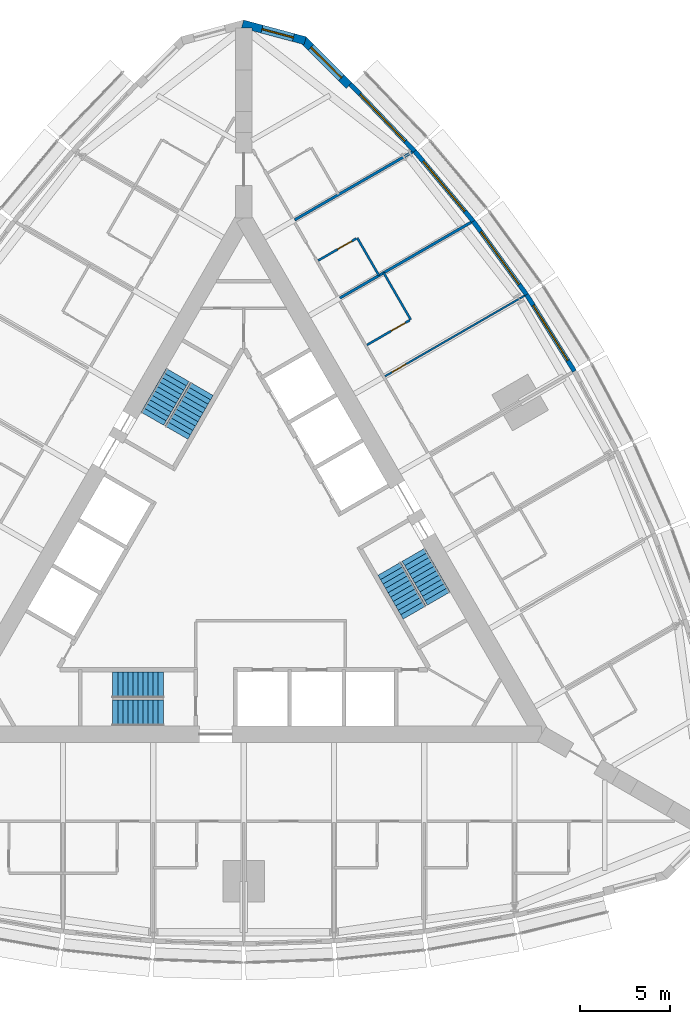
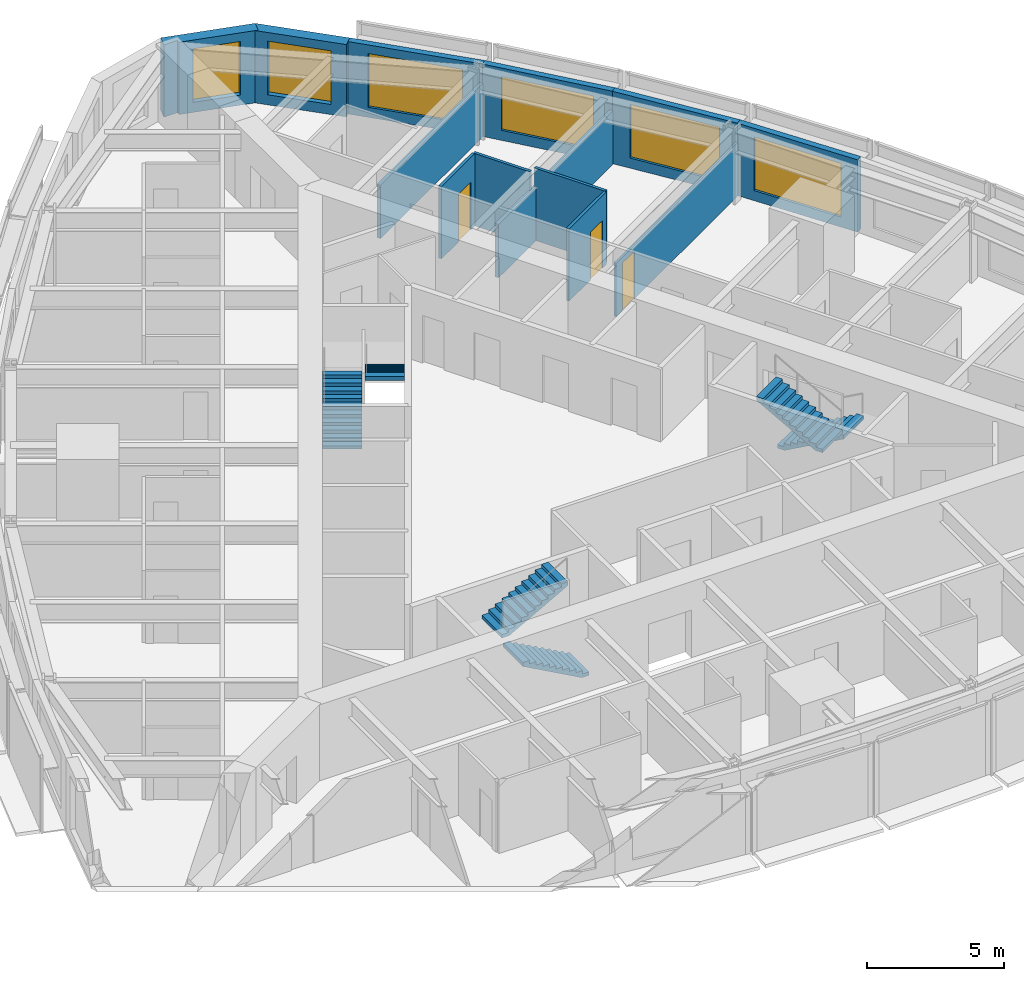
# One storey, part 13 of 14: 13 walls, 6 stair flights, 6 windows, 3 doors, 9 openings, 3 elements without a shape of their own.
"""IFC4 building model written with IfcOpenShell, lengths in metres."""

import ifcopenshell
import ifcopenshell.guid

model = None  # the IFC model being written
_history = None  # IfcOwnerHistory: only IFC2X3 demands one
_inside = {}  # id of a spatial element -> (the spatial element, [elements in it])
_under = {}  # id of a project, library or spatial element -> (it, [spatial elements below it])
_declared = {}  # id of a project -> (the project, [libraries it declares])
_typed = {}  # id of a type object -> (the type object, [elements of that type])
_made_of = {}  # id of a material, layer set ... -> (it, [elements and type objects made of it])


def new_model(schema):
    """Start an empty IFC model of exactly this schema.

    Asked for "IFC4X3", IfcOpenShell would pick the latest addendum, in which some entities
    have other attributes; the version numbers below select the first issue.
    IFC2X3 requires an IfcOwnerHistory on every rooted entity: one is made here for all.
    """
    global model, _history
    if schema == "IFC4X3":
        model = ifcopenshell.file(schema_version=(4, 3, 0, 0))
    else:
        model = ifcopenshell.file(schema=schema)
    _inside.clear()
    _under.clear()
    _declared.clear()
    _typed.clear()
    _made_of.clear()
    _history = None
    if model.schema == "IFC2X3":
        org = make("IfcOrganization", Name="unknown")
        user = make(
            "IfcPersonAndOrganization",
            ThePerson=make("IfcPerson", FamilyName="unknown"),
            TheOrganization=org,
        )
        app = make(
            "IfcApplication",
            ApplicationDeveloper=org,
            Version="unknown",
            ApplicationFullName="unknown",
            ApplicationIdentifier="unknown",
        )
        _history = make(
            "IfcOwnerHistory",
            OwningUser=user,
            OwningApplication=app,
            ChangeAction="ADDED",
            CreationDate=0,
        )
    return model


def make(cls, **values):
    """One entity of the class cls with the attributes given. An attribute that is None is left unset."""
    return model.create_entity(
        cls, **{name: value for name, value in values.items() if value is not None}
    )


def rooted(cls, **values):
    """An entity with a GlobalId (a new one), such as an element, a storey or a relation."""
    return make(cls, GlobalId=ifcopenshell.guid.new(), OwnerHistory=_history, **values)


def si_unit(unit_type, name, prefix=None):
    """IfcSIUnit, for example si_unit("LENGTHUNIT", "METRE", prefix="MILLI")."""
    return make("IfcSIUnit", UnitType=unit_type, Prefix=prefix, Name=name)


def assignment(units):
    """IfcUnitAssignment: the units of a project."""
    return None if units is None else make("IfcUnitAssignment", Units=units)


def point(xyz):
    """IfcCartesianPoint."""
    return None if xyz is None else make("IfcCartesianPoint", Coordinates=xyz)


def direction(xyz):
    """IfcDirection."""
    return None if xyz is None else make("IfcDirection", DirectionRatios=xyz)


def frame(location, z_axis=None, x_axis=None):
    """IfcAxis2Placement3D, a coordinate frame: its origin and axes. An axis left out is left unset."""
    return make(
        "IfcAxis2Placement3D",
        Location=point(location),
        Axis=direction(z_axis),
        RefDirection=direction(x_axis),
    )


def frame_2d(location, x_axis=None):
    """IfcAxis2Placement2D, a coordinate frame in the plane: its origin and x axis."""
    return make(
        "IfcAxis2Placement2D", Location=point(location), RefDirection=direction(x_axis)
    )


def origin():
    """The frame at (0, 0, 0) with its axes left unset."""
    return frame((0.0, 0.0, 0.0))


def place(relative_to, where):
    """IfcLocalPlacement: puts the frame where relative to a parent placement (None: the world)."""
    return make(
        "IfcLocalPlacement", PlacementRelTo=relative_to, RelativePlacement=where
    )


def context(
    kind, dimensions, precision=None, world=None, true_north=None, identifier=None
):
    """IfcGeometricRepresentationContext, for example the 3D "Model" context."""
    return make(
        "IfcGeometricRepresentationContext",
        ContextIdentifier=identifier,
        ContextType=kind,
        CoordinateSpaceDimension=dimensions,
        Precision=precision,
        WorldCoordinateSystem=world,
        TrueNorth=true_north,
    )


def subcontext(parent, identifier, kind, view, scale=None):
    """IfcGeometricRepresentationSubContext, for example "Body" below "Model"."""
    return make(
        "IfcGeometricRepresentationSubContext",
        ContextIdentifier=identifier,
        ContextType=kind,
        ParentContext=parent,
        TargetScale=scale,
        TargetView=view,
    )


def project(units=None, contexts=None):
    """IfcProject with its units and contexts."""
    return rooted(
        "IfcProject",
        Name="project",
        RepresentationContexts=contexts,
        UnitsInContext=assignment(units),
    )


def spatial(cls, under=None, at=None, **own):
    """A site, building, storey or space (cls), placed at a placement, below another one or the project."""
    s = rooted(cls, ObjectPlacement=at, **own)
    if under is not None:
        _under.setdefault(under.id(), (under, []))[1].append(s)
    return s


def polyline(points):
    """IfcPolyline through the points."""
    return make("IfcPolyline", Points=[point(p) for p in points])


def profile(cls, at=None, kind="AREA", **sizes):
    """A parametric profile (cls). Its sizes go by their IFC names, for example OverallWidth=200.0."""
    return make(cls, ProfileType=kind, Position=at, **sizes)


def rectangle(**sizes):
    """IfcRectangleProfileDef."""
    return profile("IfcRectangleProfileDef", **sizes)


def outline(outer, holes=None, kind="AREA"):
    """IfcArbitraryClosedProfileDef: a profile drawn as a closed curve; with holes, ...WithVoids."""
    if holes is None:
        return make("IfcArbitraryClosedProfileDef", ProfileType=kind, OuterCurve=outer)
    return make(
        "IfcArbitraryProfileDefWithVoids",
        ProfileType=kind,
        OuterCurve=outer,
        InnerCurves=holes,
    )


def extrude(swept, where, along, depth):
    """IfcExtrudedAreaSolid: the profile swept, set in the frame where, extruded along a direction by depth."""
    return make(
        "IfcExtrudedAreaSolid",
        SweptArea=swept,
        Position=where,
        ExtrudedDirection=direction(along),
        Depth=depth,
    )


def shape(context_of_items, identifier, shape_type, items):
    """IfcShapeRepresentation: the items that make up one representation, for example the "Body"."""
    return make(
        "IfcShapeRepresentation",
        ContextOfItems=context_of_items,
        RepresentationIdentifier=identifier,
        RepresentationType=shape_type,
        Items=items,
    )


def material(Name=None, Category=None):
    """IfcMaterial."""
    return make("IfcMaterial", Name=Name, Category=Category)


def layer(
    of_material, thickness, ventilated=None, Name=None, Category=None, Priority=None
):
    """IfcMaterialLayer: one layer of a wall or slab, of a material (None: an air gap)."""
    return make(
        "IfcMaterialLayer",
        Material=of_material,
        LayerThickness=thickness,
        IsVentilated=ventilated,
        Name=Name,
        Category=Category,
        Priority=Priority,
    )


def layer_set(layers, Name=None):
    """IfcMaterialLayerSet."""
    return make("IfcMaterialLayerSet", MaterialLayers=layers, LayerSetName=Name)


def made_of(thing, what):
    """Note that an element or type object is made of a material, layer set ...; save() writes the relation."""
    if what is not None:
        _made_of.setdefault(what.id(), (what, []))[1].append(thing)
    return thing


def type_object(cls, material=None, **own):
    """A type object (cls), such as IfcWallType, which elements share."""
    return made_of(rooted(cls, **own), material)


def element(
    cls,
    number,
    at=None,
    inside=None,
    cuts=None,
    type_object=None,
    material=None,
    context=None,
    identifier="Body",
    shape_type=None,
    held_by="IfcProductDefinitionShape",
    body=None,
    shapes=None,
    **own,
):
    """One element of the class cls, such as IfcWall. Its Tag is "e" and its number.

    at: its placement. inside: the storey or other place that contains it. cuts: it is an
    opening in that element (IfcRelVoidsElement). A single representation is given by context,
    identifier, shape_type and body (its items); several are given by shapes. held_by: the class
    of the entity that holds the representations. save() writes the other relations.
    """
    e = rooted(cls, Tag="e%d" % number, ObjectPlacement=at, **own)
    if body is not None:
        shapes = [shape(context, identifier, shape_type, body)]
    if shapes is not None:
        e.Representation = make(held_by, Representations=shapes)
    if inside is not None:
        _inside.setdefault(inside.id(), (inside, []))[1].append(e)
    if cuts is not None:
        rooted(
            "IfcRelVoidsElement", RelatingBuildingElement=cuts, RelatedOpeningElement=e
        )
    if type_object is not None:
        _typed.setdefault(type_object.id(), (type_object, []))[1].append(e)
    return made_of(e, material)


def fill(opening, filler):
    """IfcRelFillsElement: the door or window that sits in an opening."""
    return rooted(
        "IfcRelFillsElement",
        RelatingOpeningElement=opening,
        RelatedBuildingElement=filler,
    )


def aggregate(whole, parts):
    """IfcRelAggregates: a whole, such as a stair, and the parts it consists of."""
    return rooted("IfcRelAggregates", RelatingObject=whole, RelatedObjects=parts)


def save(model, path):
    """Write the relations noted so far, then the file.

    IfcRelAggregates (storeys below a building ...), IfcRelContainedInSpatialStructure (elements
    in a storey), IfcRelDefinesByType, IfcRelAssociatesMaterial and IfcRelDeclares: one each for
    every whole, place, type object, material and project.
    """
    for whole, parts in _under.values():
        aggregate(whole, parts)
    for where, things in _inside.values():
        rooted(
            "IfcRelContainedInSpatialStructure",
            RelatedElements=things,
            RelatingStructure=where,
        )
    for kind, things in _typed.values():
        rooted("IfcRelDefinesByType", RelatedObjects=things, RelatingType=kind)
    for what, things in _made_of.values():
        rooted("IfcRelAssociatesMaterial", RelatedObjects=things, RelatingMaterial=what)
    for by, libraries in _declared.values():
        rooted("IfcRelDeclares", RelatingContext=by, RelatedDefinitions=libraries)
    model.write(path)


model = new_model("IFC4")

# Units and contexts
model_context = context("Model", 3, precision=1e-05, world=origin(), true_north=direction((0.0, 1.0)))
body_context = subcontext(model_context, "Body", "Model", "MODEL_VIEW")
ifc_project = project(units=[si_unit("LENGTHUNIT", "METRE"), si_unit("AREAUNIT", "SQUARE_METRE"), si_unit("VOLUMEUNIT", "CUBIC_METRE"), si_unit("PLANEANGLEUNIT", "RADIAN"), si_unit("MASSUNIT", "GRAM", prefix="KILO")], contexts=[model_context])

# Site, building, storey
site_placement = place(None, origin())
site = spatial("IfcSite", under=ifc_project, at=site_placement, CompositionType="ELEMENT")
building_placement = place(site_placement, origin())
building = spatial("IfcBuilding", under=site, at=building_placement, Name="Trikona Tower", CompositionType="ELEMENT")
storey_placement = place(building_placement, frame((0.0, 0.0, 148.699951171875)))
storey = spatial("IfcBuildingStorey", under=building, at=storey_placement, Name="L39", CompositionType="ELEMENT", Elevation=148.699951171875)

# Wall
ifc_material_1 = material(Name="Metal stud and cement board", Category="gypsum")
ifc_layer_1 = layer(ifc_material_1, 0.1201171875)
ifc_layer_set_1 = layer_set([ifc_layer_1], Name="Bathroom wall 120")
wall_type_1 = type_object("IfcWallType", Name="Bathroom wall 120", PredefinedType="PLUMBINGWALL", material=ifc_layer_set_1)
wall_1_placement = place(storey_placement, frame((9.25341796875, 13.42529296875, 0.0), z_axis=(0.0, 0.0, 1.0), x_axis=(-0.499990139034, 0.866031096941, 0.0)))
element("IfcWall", 1, at=wall_1_placement, inside=storey, type_object=wall_type_1, Name="Bathroom wall 3910.1", PredefinedType="PLUMBINGWALL", context=body_context, shape_type="SweptSolid", body=[
    extrude(rectangle(XDim=3.0, YDim=0.1201171875, at=frame_2d((1.5, 0.0))), origin(), (0.0, 0.0, 1.0), 3.235107421875),
])

# Wall, opening, door
wall_2_placement = place(storey_placement, frame((6.82861328125, 12.025390625, 0.0), z_axis=(0.0, 0.0, 1.0), x_axis=(0.866035715982, 0.499982138324, 0.0)))
wall_2 = element("IfcWall", 2, at=wall_2_placement, inside=storey, type_object=wall_type_1, Name="Bathroom wall 3910.1", PredefinedType="PLUMBINGWALL", context=body_context, shape_type="SweptSolid", body=[
    extrude(rectangle(XDim=2.73974609375, YDim=0.1201171875, at=frame_2d((1.369873046875, 0.0))), origin(), (0.0, 0.0, 1.0), 3.235107421875),
])
opening_1_placement = place(wall_2_placement, frame((1.550048828125, 0.0, 0.0)))
opening_1 = element("IfcOpeningElement", 3, at=opening_1_placement, cuts=wall_2, Name="Opening D2", PredefinedType="OPENING", context=body_context, shape_type="SweptSolid", body=[
    extrude(rectangle(XDim=0.89990234375, YDim=2.1298828125, at=frame_2d((0.449951171875, 1.06494140625))), frame((0.0, 0.070068359375, 0.0), z_axis=(0.0, -1.0, 0.0), x_axis=(1.0, 0.0, 0.0)), (0.0, 0.0, 1.0), 0.14013671875),
])
ifc_material_2 = material(Name="Steel door frame with solid-core timber leaf", Category="steel")
door_type_1 = type_object("IfcDoorType", Name="Bathroom door 900x2130", OperationType="SLIDING_TO_LEFT", PredefinedType="DOOR", material=ifc_material_2)
door_1_placement = place(opening_1_placement, origin())
door_1 = element("IfcDoor", 4, at=door_1_placement, inside=storey, type_object=door_type_1, Name="Bathroom door 3910.1", OperationType="SLIDING_TO_LEFT", OverallHeight=2.1298828125, OverallWidth=0.89990234375, PredefinedType="DOOR", context=body_context, shape_type="SweptSolid", body=[
    extrude(rectangle(XDim=0.89990234375, YDim=2.1298828125, at=frame_2d((0.449951171875, 1.06494140625))), frame((0.0, 0.02490234375, 0.0), z_axis=(0.0, -1.0, 0.0), x_axis=(1.0, 0.0, 0.0)), (0.0, 0.0, 1.0), 0.050048828125),
])
fill(opening_1, door_1)

# Wall
wall_3_placement = place(storey_placement, frame((7.493408203125, 15.873291015625, 0.0), z_axis=(0.0, 0.0, 1.0), x_axis=(-0.499957262057, 0.866050077142, 0.0)))
element("IfcWall", 5, at=wall_3_placement, inside=storey, type_object=wall_type_1, Name="Bathroom wall 3911", PredefinedType="PLUMBINGWALL", context=body_context, shape_type="SweptSolid", body=[
    extrude(rectangle(XDim=2.400146484375, YDim=0.1201171875, at=frame_2d((1.2001953125, 0.0))), origin(), (0.0, 0.0, 1.0), 3.235107421875),
])

# Wall, opening, door
wall_4_placement = place(storey_placement, frame((4.12841796875, 16.701904296875, 0.0), z_axis=(0.0, 0.0, 1.0), x_axis=(0.866048967903, 0.499959183527, 0.0)))
wall_4 = element("IfcWall", 6, at=wall_4_placement, inside=storey, type_object=wall_type_1, Name="Bathroom wall 3911", PredefinedType="PLUMBINGWALL", context=body_context, shape_type="SweptSolid", body=[
    extrude(rectangle(XDim=2.440185546875, YDim=0.1201171875, at=frame_2d((1.22021484375, 0.0))), origin(), (0.0, 0.0, 1.0), 3.235107421875),
])
opening_2_placement = place(wall_4_placement, frame((1.25, 0.0, 0.0)))
opening_2 = element("IfcOpeningElement", 7, at=opening_2_placement, cuts=wall_4, Name="Opening D2", PredefinedType="OPENING", context=body_context, shape_type="SweptSolid", body=[
    extrude(rectangle(XDim=0.89990234375, YDim=2.1298828125, at=frame_2d((0.449951171875, 1.06494140625))), frame((0.0, 0.070068359375, 0.0), z_axis=(0.0, -1.0, 0.0), x_axis=(1.0, 0.0, 0.0)), (0.0, 0.0, 1.0), 0.14013671875),
])
door_2_placement = place(opening_2_placement, origin())
door_2 = element("IfcDoor", 8, at=door_2_placement, inside=storey, type_object=door_type_1, Name="Bathroom door 3911", OperationType="SLIDING_TO_LEFT", OverallHeight=2.1298828125, OverallWidth=0.89990234375, PredefinedType="DOOR", context=body_context, shape_type="SweptSolid", body=[
    extrude(rectangle(XDim=0.89990234375, YDim=2.1298828125, at=frame_2d((0.449951171875, 1.06494140625))), frame((0.0, 0.02490234375, 0.0), z_axis=(0.0, -1.0, 0.0), x_axis=(1.0, 0.0, 0.0)), (0.0, 0.0, 1.0), 0.050048828125),
])
fill(opening_2, door_2)

# Wall, opening, window
ifc_material_3 = material(Name="Brick-faced precast concrete", Category="masonry")
ifc_layer_2 = layer(ifc_material_3, 0.449951171875)
ifc_layer_set_2 = layer_set([ifc_layer_2], Name="Brick-faced corner wall 450")
wall_type_2 = type_object("IfcWallType", Name="Brick-faced corner wall 450", PredefinedType="SOLIDWALL", material=ifc_layer_set_2)
wall_5_placement = place(storey_placement, frame((5.8408203125, 26.39892578125, 0.0), z_axis=(0.0, 0.0, 1.0), x_axis=(-0.707106781187, 0.707106781187, 0.0)))
wall_5 = element("IfcWall", 9, at=wall_5_placement, inside=storey, type_object=wall_type_2, Name="External wall L39-20", PredefinedType="SOLIDWALL", context=body_context, shape_type="SweptSolid", body=[
    extrude(rectangle(XDim=3.586181640625, YDim=0.449951171875, at=frame_2d((1.79296875, 0.0))), origin(), (0.0, 0.0, 1.0), 3.235107421875),
])
opening_3_placement = place(wall_5_placement, frame((0.59326171875, 0.0, 0.449951171875)))
opening_3 = element("IfcOpeningElement", 10, at=opening_3_placement, cuts=wall_5, Name="Opening W2424", PredefinedType="OPENING", context=body_context, shape_type="SweptSolid", body=[
    extrude(rectangle(XDim=2.39990234375, YDim=2.39990234375, at=frame_2d((1.199951171875, 1.199951171875))), frame((0.0, 0.23486328125, 0.0), z_axis=(0.0, -1.0, 0.0), x_axis=(1.0, 0.0, 0.0)), (0.0, 0.0, 1.0), 0.469970703125),
])
ifc_material_4 = material(Name="Aluminium-framed double glazing", Category="aluminium")
window_type_1 = type_object("IfcWindowType", Name="Window 2400x2400", PartitioningType="SINGLE_PANEL", PredefinedType="WINDOW", material=ifc_material_4)
window_1_placement = place(opening_3_placement, origin())
window_1 = element("IfcWindow", 11, at=window_1_placement, inside=storey, type_object=window_type_1, Name="Window 3912", OverallHeight=2.39990234375, OverallWidth=2.39990234375, PartitioningType="SINGLE_PANEL", PredefinedType="WINDOW", context=body_context, shape_type="SweptSolid", body=[
    extrude(rectangle(XDim=2.39990234375, YDim=2.39990234375, at=frame_2d((1.199951171875, 1.199951171875))), frame((0.0, 0.030029296875, 0.0), z_axis=(0.0, -1.0, 0.0), x_axis=(1.0, 0.0, 0.0)), (0.0, 0.0, 1.0), 0.06005859375),
])
fill(opening_3, window_1)

wall_6_placement = place(storey_placement, frame((3.406005859375, 28.876708984375, 0.0), z_axis=(0.0, 0.0, 1.0), x_axis=(-0.965924653531, 0.258823421857, 0.0)))
wall_6 = element("IfcWall", 12, at=wall_6_placement, inside=storey, type_object=wall_type_2, Name="External wall L39-21", PredefinedType="SOLIDWALL", context=body_context, shape_type="SweptSolid", body=[
    extrude(outline(polyline([(3.58642578125, 0.22509765625), (3.526611328125, 0.22509765625), (3.035400390625, 0.09326171875), (3.0, 0.22509765625), (0.0, 0.22509765625), (0.0, -0.22509765625), (3.58642578125, -0.22509765625), (3.58642578125, 0.22509765625)])), origin(), (0.0, 0.0, 1.0), 3.235107421875),
])
opening_4_placement = place(wall_6_placement, frame((0.6748046875, 0.0, 0.449951171875)))
opening_4 = element("IfcOpeningElement", 13, at=opening_4_placement, cuts=wall_6, Name="Opening W1824", PredefinedType="OPENING", context=body_context, shape_type="SweptSolid", body=[
    extrude(rectangle(XDim=1.800048828125, YDim=2.39990234375, at=frame_2d((0.89990234375, 1.199951171875))), frame((0.0, 0.23486328125, 0.0), z_axis=(0.0, -1.0, 0.0), x_axis=(1.0, 0.0, 0.0)), (0.0, 0.0, 1.0), 0.469970703125),
])
ifc_material_5 = material(Name="Aluminium-framed double glazing", Category="aluminium")
window_type_2 = type_object("IfcWindowType", Name="Window 1800x2400", PartitioningType="SINGLE_PANEL", PredefinedType="WINDOW", material=ifc_material_5)
window_2_placement = place(opening_4_placement, origin())
window_2 = element("IfcWindow", 14, at=window_2_placement, inside=storey, type_object=window_type_2, Name="Window 3912", OverallHeight=2.39990234375, OverallWidth=1.800048828125, PartitioningType="SINGLE_PANEL", PredefinedType="WINDOW", context=body_context, shape_type="SweptSolid", body=[
    extrude(rectangle(XDim=1.800048828125, YDim=2.39990234375, at=frame_2d((0.89990234375, 1.199951171875))), frame((0.0, 0.030029296875, 0.0), z_axis=(0.0, -1.0, 0.0), x_axis=(1.0, 0.0, 0.0)), (0.0, 0.0, 1.0), 0.06005859375),
])
fill(opening_4, window_2)

ifc_material_6 = material(Name="Insulated precast concrete spandrel panel", Category="concrete")
ifc_layer_3 = layer(ifc_material_6, 0.25)
ifc_layer_set_3 = layer_set([ifc_layer_3], Name="Inner skin wall 250")
wall_type_3 = type_object("IfcWallType", Name="Inner skin wall 250", PredefinedType="STANDARD", material=ifc_layer_set_3)
wall_7_placement = place(storey_placement, frame((18.31884765625, 10.5712890625, 0.0), z_axis=(0.0, 0.0, 1.0), x_axis=(-0.529990167382, 0.84800378683, 0.0)))
wall_7 = element("IfcWall", 15, at=wall_7_placement, inside=storey, type_object=wall_type_3, Name="External wall L39-16", PredefinedType="STANDARD", context=body_context, shape_type="SweptSolid", body=[
    extrude(rectangle(XDim=5.003173828125, YDim=0.25, at=frame_2d((2.50146484375, 0.0))), origin(), (0.0, 0.0, 1.0), 3.235107421875),
])
opening_5_placement = place(wall_7_placement, frame((0.701416015625, 0.0, 0.449951171875)))
opening_5 = element("IfcOpeningElement", 16, at=opening_5_placement, cuts=wall_7, Name="Opening W3624", PredefinedType="OPENING", context=body_context, shape_type="SweptSolid", body=[
    extrude(rectangle(XDim=3.60009765625, YDim=2.39990234375, at=frame_2d((1.800048828125, 1.199951171875))), frame((0.0, 0.135009765625, 0.0), z_axis=(0.0, -1.0, 0.0), x_axis=(1.0, 0.0, 0.0)), (0.0, 0.0, 1.0), 0.27001953125),
])
ifc_material_7 = material(Name="Aluminium-framed double glazing", Category="aluminium")
window_type_3 = type_object("IfcWindowType", Name="Window 3600x2400", PartitioningType="SINGLE_PANEL", PredefinedType="WINDOW", material=ifc_material_7)
window_3_placement = place(opening_5_placement, origin())
window_3 = element("IfcWindow", 17, at=window_3_placement, inside=storey, type_object=window_type_3, Name="Window 3910", OverallHeight=2.39990234375, OverallWidth=3.60009765625, PartitioningType="SINGLE_PANEL", PredefinedType="WINDOW", context=body_context, shape_type="SweptSolid", body=[
    extrude(rectangle(XDim=3.60009765625, YDim=2.39990234375, at=frame_2d((1.800048828125, 1.199951171875))), frame((0.0, 0.030029296875, 0.0), z_axis=(0.0, -1.0, 0.0), x_axis=(1.0, 0.0, 0.0)), (0.0, 0.0, 1.0), 0.06005859375),
])
fill(opening_5, window_3)

wall_8_placement = place(storey_placement, frame((15.672119140625, 14.806640625, 0.0), z_axis=(0.0, 0.0, 1.0), x_axis=(-0.587669188412, 0.809101307001, 0.0)))
wall_8 = element("IfcWall", 18, at=wall_8_placement, inside=storey, type_object=wall_type_3, Name="External wall L39-17", PredefinedType="STANDARD", context=body_context, shape_type="SweptSolid", body=[
    extrude(rectangle(XDim=5.027587890625, YDim=0.25, at=frame_2d((2.513671875, 0.0))), origin(), (0.0, 0.0, 1.0), 3.235107421875),
])
opening_6_placement = place(wall_8_placement, frame((0.7138671875, 0.0, 0.449951171875)))
opening_6 = element("IfcOpeningElement", 19, at=opening_6_placement, cuts=wall_8, Name="Opening W3624", PredefinedType="OPENING", context=body_context, shape_type="SweptSolid", body=[
    extrude(rectangle(XDim=3.60009765625, YDim=2.39990234375, at=frame_2d((1.800048828125, 1.199951171875))), frame((0.0, 0.135009765625, 0.0), z_axis=(0.0, -1.0, 0.0), x_axis=(1.0, 0.0, 0.0)), (0.0, 0.0, 1.0), 0.27001953125),
])
window_4_placement = place(opening_6_placement, origin())
window_4 = element("IfcWindow", 20, at=window_4_placement, inside=storey, type_object=window_type_3, Name="Window 3910.1", OverallHeight=2.39990234375, OverallWidth=3.60009765625, PartitioningType="SINGLE_PANEL", PredefinedType="WINDOW", context=body_context, shape_type="SweptSolid", body=[
    extrude(rectangle(XDim=3.60009765625, YDim=2.39990234375, at=frame_2d((1.800048828125, 1.199951171875))), frame((0.0, 0.030029296875, 0.0), z_axis=(0.0, -1.0, 0.0), x_axis=(1.0, 0.0, 0.0)), (0.0, 0.0, 1.0), 0.06005859375),
])
fill(opening_6, window_4)

wall_9_placement = place(storey_placement, frame((12.722900390625, 18.86767578125, 0.0), z_axis=(0.0, 0.0, 1.0), x_axis=(-0.641810386606, 0.766863369607, 0.0)))
wall_9 = element("IfcWall", 21, at=wall_9_placement, inside=storey, type_object=wall_type_3, Name="External wall L39-18", PredefinedType="STANDARD", context=body_context, shape_type="SweptSolid", body=[
    extrude(rectangle(XDim=5.075927734375, YDim=0.25, at=frame_2d((2.5380859375, 0.0))), origin(), (0.0, 0.0, 1.0), 3.235107421875),
])
opening_7_placement = place(wall_9_placement, frame((0.738037109375, 0.0, 0.449951171875)))
opening_7 = element("IfcOpeningElement", 22, at=opening_7_placement, cuts=wall_9, Name="Opening W3624", PredefinedType="OPENING", context=body_context, shape_type="SweptSolid", body=[
    extrude(rectangle(XDim=3.60009765625, YDim=2.39990234375, at=frame_2d((1.800048828125, 1.199951171875))), frame((0.0, 0.135009765625, 0.0), z_axis=(0.0, -1.0, 0.0), x_axis=(1.0, 0.0, 0.0)), (0.0, 0.0, 1.0), 0.27001953125),
])
window_5_placement = place(opening_7_placement, origin())
window_5 = element("IfcWindow", 23, at=window_5_placement, inside=storey, type_object=window_type_3, Name="Window 3911", OverallHeight=2.39990234375, OverallWidth=3.60009765625, PartitioningType="SINGLE_PANEL", PredefinedType="WINDOW", context=body_context, shape_type="SweptSolid", body=[
    extrude(rectangle(XDim=3.60009765625, YDim=2.39990234375, at=frame_2d((1.800048828125, 1.199951171875))), frame((0.0, 0.030029296875, 0.0), z_axis=(0.0, -1.0, 0.0), x_axis=(1.0, 0.0, 0.0)), (0.0, 0.0, 1.0), 0.06005859375),
])
fill(opening_7, window_5)

wall_10_placement = place(storey_placement, frame((9.470703125, 22.75390625, 0.0), z_axis=(0.0, 0.0, 1.0), x_axis=(-0.691719937936, 0.722165858693, 0.0)))
wall_10 = element("IfcWall", 24, at=wall_10_placement, inside=storey, type_object=wall_type_3, Name="External wall L39-19", PredefinedType="STANDARD", context=body_context, shape_type="SweptSolid", body=[
    extrude(rectangle(XDim=5.148193359375, YDim=0.25, at=frame_2d((2.57421875, 0.0))), origin(), (0.0, 0.0, 1.0), 3.235107421875),
])
opening_8_placement = place(wall_10_placement, frame((0.77392578125, 0.0, 0.449951171875)))
opening_8 = element("IfcOpeningElement", 25, at=opening_8_placement, cuts=wall_10, Name="Opening W3624", PredefinedType="OPENING", context=body_context, shape_type="SweptSolid", body=[
    extrude(rectangle(XDim=3.60009765625, YDim=2.39990234375, at=frame_2d((1.800048828125, 1.199951171875))), frame((0.0, 0.135009765625, 0.0), z_axis=(0.0, -1.0, 0.0), x_axis=(1.0, 0.0, 0.0)), (0.0, 0.0, 1.0), 0.27001953125),
])
window_6_placement = place(opening_8_placement, origin())
window_6 = element("IfcWindow", 26, at=window_6_placement, inside=storey, type_object=window_type_3, Name="Window 3912", OverallHeight=2.39990234375, OverallWidth=3.60009765625, PartitioningType="SINGLE_PANEL", PredefinedType="WINDOW", context=body_context, shape_type="SweptSolid", body=[
    extrude(rectangle(XDim=3.60009765625, YDim=2.39990234375, at=frame_2d((1.800048828125, 1.199951171875))), frame((0.0, 0.030029296875, 0.0), z_axis=(0.0, -1.0, 0.0), x_axis=(1.0, 0.0, 0.0)), (0.0, 0.0, 1.0), 0.06005859375),
])
fill(opening_8, window_6)

# Walls
ifc_material_8 = material(Name="Metal stud and gypsum board, 1-hour acoustic", Category="gypsum")
ifc_layer_4 = layer(ifc_material_8, 0.14990234375)
ifc_layer_set_4 = layer_set([ifc_layer_4], Name="Party wall 150")
wall_type_4 = type_object("IfcWallType", Name="Party wall 150", PredefinedType="PARTITIONING", material=ifc_layer_set_4)
wall_11_placement = place(storey_placement, frame((5.32861328125, 14.623291015625, 0.0), z_axis=(0.0, 0.0, 1.0), x_axis=(0.866011723728, 0.500023693804, 0.0)))
element("IfcWall", 27, at=wall_11_placement, inside=storey, type_object=wall_type_4, Name="Partition L39 F2 u10", PredefinedType="PARTITIONING", context=body_context, shape_type="SweptSolid", body=[
    extrude(rectangle(XDim=8.39501953125, YDim=0.14990234375, at=frame_2d((4.197509765625, 0.0))), origin(), (0.0, 0.0, 1.0), 2.38916015625),
])
wall_12_placement = place(storey_placement, frame((2.82861328125, 18.95361328125, 0.0), z_axis=(0.0, 0.0, 1.0), x_axis=(0.866015739374, 0.500016738876, 0.0)))
element("IfcWall", 28, at=wall_12_placement, inside=storey, type_object=wall_type_4, Name="Partition L39 F2 u15", PredefinedType="PARTITIONING", context=body_context, shape_type="SweptSolid", body=[
    extrude(rectangle(XDim=7.516357421875, YDim=0.14990234375, at=frame_2d((3.75830078125, 0.0))), origin(), (0.0, 0.0, 1.0), 2.38916015625),
])

# Wall, opening, door
ifc_material_9 = material(Name="Metal stud and gypsum board, acoustic", Category="gypsum")
ifc_layer_5 = layer(ifc_material_9, 0.10009765625)
ifc_layer_set_5 = layer_set([ifc_layer_5], Name="Suite partition 100")
wall_type_5 = type_object("IfcWallType", Name="Suite partition 100", PredefinedType="PARTITIONING", material=ifc_layer_set_5)
wall_13_placement = place(storey_placement, frame((7.82861328125, 10.293212890625, 0.0), z_axis=(0.0, 0.0, 1.0), x_axis=(0.866027015393, 0.499997208602, 0.0)))
wall_13 = element("IfcWall", 29, at=wall_13_placement, inside=storey, type_object=wall_type_5, Name="Suite partition L39 F2 u5", PredefinedType="PARTITIONING", context=body_context, shape_type="SweptSolid", body=[
    extrude(rectangle(XDim=8.92236328125, YDim=0.10009765625, at=frame_2d((4.461181640625, 0.0))), origin(), (0.0, 0.0, 1.0), 2.38916015625),
])
opening_9_placement = place(wall_13_placement, frame((0.449951171875, 0.0, 0.0)))
opening_9 = element("IfcOpeningElement", 30, at=opening_9_placement, cuts=wall_13, Name="Opening D13", PredefinedType="OPENING", context=body_context, shape_type="SweptSolid", body=[
    extrude(rectangle(XDim=0.89990234375, YDim=2.1298828125, at=frame_2d((0.449951171875, 1.06494140625))), frame((0.0, 0.06005859375, 0.0), z_axis=(0.0, -1.0, 0.0), x_axis=(1.0, 0.0, 0.0)), (0.0, 0.0, 1.0), 0.1201171875),
])
ifc_material_10 = material(Name="Steel door frame with solid-core timber leaf", Category="steel")
door_type_2 = type_object("IfcDoorType", Name="Suite door 900x2130", OperationType="SINGLE_SWING_LEFT", PredefinedType="DOOR", material=ifc_material_10)
door_3_placement = place(opening_9_placement, origin())
door_3 = element("IfcDoor", 31, at=door_3_placement, inside=storey, type_object=door_type_2, Name="Suite door 3910", OperationType="SINGLE_SWING_LEFT", OverallHeight=2.1298828125, OverallWidth=0.89990234375, PredefinedType="DOOR", context=body_context, shape_type="SweptSolid", body=[
    extrude(rectangle(XDim=0.89990234375, YDim=2.1298828125, at=frame_2d((0.449951171875, 1.06494140625))), frame((0.0, 0.02490234375, 0.0), z_axis=(0.0, -1.0, 0.0), x_axis=(1.0, 0.0, 0.0)), (0.0, 0.0, 1.0), 0.050048828125),
])
fill(opening_9, door_3)

# Stair, stair flights
ifc_material_11 = material(Name="Concrete f'c 5000 psi", Category="concrete")
stair_type = type_object("IfcStairType", Name="Core stair", PredefinedType="HALF_TURN_STAIR", material=ifc_material_11)
stair_1_placement = place(storey_placement, origin())
stair_1 = element("IfcStair", 32, at=stair_1_placement, inside=storey, type_object=stair_type, Name="Stair A L39", PredefinedType="HALF_TURN_STAIR")
ifc_material_12 = material(Name="Concrete f'c 5000 psi", Category="concrete")
stair_flight_type = type_object("IfcStairFlightType", Name="Core stair flight 1450", PredefinedType="STRAIGHT", material=ifc_material_12)
stair_flight_1_placement = place(storey_placement, frame((-4.449951171875, -8.351318359375, 0.0), z_axis=(0.0, 0.0, 1.0), x_axis=(-1.0, 0.0, 0.0)))
stair_flight_1 = element("IfcStairFlight", 33, at=stair_flight_1_placement, type_object=stair_flight_type, Name="ST-A flight 1", NumberOfRisers=11, NumberOfTreads=10, PredefinedType="STRAIGHT", RiserHeight=0.154545, TreadLength=0.28, context=body_context, shape_type="SweptSolid", body=[
    extrude(outline(polyline([(0.0, 0.0), (0.0, 0.154541015625), (0.280029296875, 0.154541015625), (0.280029296875, 0.30908203125), (0.56005859375, 0.30908203125), (0.56005859375, 0.463623046875), (0.840087890625, 0.463623046875), (0.840087890625, 0.6181640625), (1.1201171875, 0.6181640625), (1.1201171875, 0.772705078125), (1.39990234375, 0.772705078125), (1.39990234375, 0.92724609375), (1.679931640625, 0.92724609375), (1.679931640625, 1.081787109375), (1.9599609375, 1.081787109375), (1.9599609375, 1.236328125), (2.239990234375, 1.236328125), (2.239990234375, 1.390869140625), (2.52001953125, 1.390869140625), (2.52001953125, 1.54541015625), (2.800048828125, 1.54541015625), (2.800048828125, 1.699951171875), (2.800048828125, 1.374267578125), (0.310302734375, 0.0), (0.0, 0.0)])), frame((0.0, 0.72509765625, 0.0), z_axis=(0.0, -1.0, 0.0), x_axis=(1.0, 0.0, 0.0)), (0.0, 0.0, 1.0), 1.449951171875),
])
stair_flight_2_placement = place(storey_placement, frame((-7.25, -6.80126953125, 1.699951171875), z_axis=(0.0, 0.0, 1.0), x_axis=(1.0, 0.0, 0.0)))
stair_flight_2 = element("IfcStairFlight", 34, at=stair_flight_2_placement, type_object=stair_flight_type, Name="ST-A flight 2", NumberOfRisers=11, NumberOfTreads=10, PredefinedType="STRAIGHT", RiserHeight=0.154545, TreadLength=0.28, context=body_context, shape_type="SweptSolid", body=[
    extrude(outline(polyline([(0.0, 0.0), (0.0, 0.154541015625), (0.280029296875, 0.154541015625), (0.280029296875, 0.30908203125), (0.56005859375, 0.30908203125), (0.56005859375, 0.463623046875), (0.840087890625, 0.463623046875), (0.840087890625, 0.6181640625), (1.1201171875, 0.6181640625), (1.1201171875, 0.772705078125), (1.39990234375, 0.772705078125), (1.39990234375, 0.92724609375), (1.679931640625, 0.92724609375), (1.679931640625, 1.081787109375), (1.9599609375, 1.081787109375), (1.9599609375, 1.236328125), (2.239990234375, 1.236328125), (2.239990234375, 1.390869140625), (2.52001953125, 1.390869140625), (2.52001953125, 1.54541015625), (2.800048828125, 1.54541015625), (2.800048828125, 1.699951171875), (2.800048828125, 1.374267578125), (0.310302734375, 0.0), (0.0, 0.0)])), frame((0.0, 0.72509765625, 0.0), z_axis=(0.0, -1.0, 0.0), x_axis=(1.0, 0.0, 0.0)), (0.0, 0.0, 1.0), 1.449951171875),
])
aggregate(stair_1, [stair_flight_1, stair_flight_2])

stair_2_placement = place(storey_placement, origin())
stair_2 = element("IfcStair", 35, at=stair_2_placement, inside=storey, type_object=stair_type, Name="Stair B L39", PredefinedType="HALF_TURN_STAIR")
stair_flight_3_placement = place(storey_placement, frame((9.407470703125, 0.408447265625, 0.0), z_axis=(0.0, 0.0, 1.0), x_axis=(0.5, -0.866025403784, 0.0)))
stair_flight_3 = element("IfcStairFlight", 36, at=stair_flight_3_placement, type_object=stair_flight_type, Name="ST-B flight 1", NumberOfRisers=11, NumberOfTreads=10, PredefinedType="STRAIGHT", RiserHeight=0.154545, TreadLength=0.28, context=body_context, shape_type="SweptSolid", body=[
    extrude(outline(polyline([(0.0, 0.0), (0.0, 0.154541015625), (0.280029296875, 0.154541015625), (0.280029296875, 0.30908203125), (0.56005859375, 0.30908203125), (0.56005859375, 0.463623046875), (0.840087890625, 0.463623046875), (0.840087890625, 0.6181640625), (1.1201171875, 0.6181640625), (1.1201171875, 0.772705078125), (1.39990234375, 0.772705078125), (1.39990234375, 0.92724609375), (1.679931640625, 0.92724609375), (1.679931640625, 1.081787109375), (1.9599609375, 1.081787109375), (1.9599609375, 1.236328125), (2.239990234375, 1.236328125), (2.239990234375, 1.390869140625), (2.52001953125, 1.390869140625), (2.52001953125, 1.54541015625), (2.800048828125, 1.54541015625), (2.800048828125, 1.699951171875), (2.800048828125, 1.374267578125), (0.310302734375, 0.0), (0.0, 0.0)])), frame((0.0, 0.72509765625, 0.0), z_axis=(0.0, -1.0, 0.0), x_axis=(1.0, 0.0, 0.0)), (0.0, 0.0, 1.0), 1.449951171875),
])
stair_flight_4_placement = place(storey_placement, frame((9.465087890625, -2.79150390625, 1.699951171875), z_axis=(0.0, 0.0, 1.0), x_axis=(-0.5, 0.866025403784, 0.0)))
stair_flight_4 = element("IfcStairFlight", 37, at=stair_flight_4_placement, type_object=stair_flight_type, Name="ST-B flight 2", NumberOfRisers=11, NumberOfTreads=10, PredefinedType="STRAIGHT", RiserHeight=0.154545, TreadLength=0.28, context=body_context, shape_type="SweptSolid", body=[
    extrude(outline(polyline([(0.0, 0.0), (0.0, 0.154541015625), (0.280029296875, 0.154541015625), (0.280029296875, 0.30908203125), (0.56005859375, 0.30908203125), (0.56005859375, 0.463623046875), (0.840087890625, 0.463623046875), (0.840087890625, 0.6181640625), (1.1201171875, 0.6181640625), (1.1201171875, 0.772705078125), (1.39990234375, 0.772705078125), (1.39990234375, 0.92724609375), (1.679931640625, 0.92724609375), (1.679931640625, 1.081787109375), (1.9599609375, 1.081787109375), (1.9599609375, 1.236328125), (2.239990234375, 1.236328125), (2.239990234375, 1.390869140625), (2.52001953125, 1.390869140625), (2.52001953125, 1.54541015625), (2.800048828125, 1.54541015625), (2.800048828125, 1.699951171875), (2.800048828125, 1.374267578125), (0.310302734375, 0.0), (0.0, 0.0)])), frame((0.0, 0.72509765625, 0.0), z_axis=(0.0, -1.0, 0.0), x_axis=(1.0, 0.0, 0.0)), (0.0, 0.0, 1.0), 1.449951171875),
])
aggregate(stair_2, [stair_flight_3, stair_flight_4])

stair_3_placement = place(storey_placement, origin())
stair_3 = element("IfcStair", 38, at=stair_3_placement, inside=storey, type_object=stair_type, Name="Stair C L39", PredefinedType="HALF_TURN_STAIR")
stair_flight_5_placement = place(storey_placement, frame((-5.057373046875, 7.94287109375, 0.0), z_axis=(0.0, 0.0, 1.0), x_axis=(0.5, 0.866025403784, 0.0)))
stair_flight_5 = element("IfcStairFlight", 39, at=stair_flight_5_placement, type_object=stair_flight_type, Name="ST-C flight 1", NumberOfRisers=11, NumberOfTreads=10, PredefinedType="STRAIGHT", RiserHeight=0.154545, TreadLength=0.28, context=body_context, shape_type="SweptSolid", body=[
    extrude(outline(polyline([(0.0, 0.0), (0.0, 0.154541015625), (0.280029296875, 0.154541015625), (0.280029296875, 0.30908203125), (0.56005859375, 0.30908203125), (0.56005859375, 0.463623046875), (0.840087890625, 0.463623046875), (0.840087890625, 0.6181640625), (1.1201171875, 0.6181640625), (1.1201171875, 0.772705078125), (1.39990234375, 0.772705078125), (1.39990234375, 0.92724609375), (1.679931640625, 0.92724609375), (1.679931640625, 1.081787109375), (1.9599609375, 1.081787109375), (1.9599609375, 1.236328125), (2.239990234375, 1.236328125), (2.239990234375, 1.390869140625), (2.52001953125, 1.390869140625), (2.52001953125, 1.54541015625), (2.800048828125, 1.54541015625), (2.800048828125, 1.699951171875), (2.800048828125, 1.374267578125), (0.310302734375, 0.0), (0.0, 0.0)])), frame((0.0, 0.72509765625, 0.0), z_axis=(0.0, -1.0, 0.0), x_axis=(1.0, 0.0, 0.0)), (0.0, 0.0, 1.0), 1.449951171875),
])
stair_flight_6_placement = place(storey_placement, frame((-2.315185546875, 9.5927734375, 1.699951171875), z_axis=(0.0, 0.0, 1.0), x_axis=(-0.5, -0.866025403784, 0.0)))
stair_flight_6 = element("IfcStairFlight", 40, at=stair_flight_6_placement, type_object=stair_flight_type, Name="ST-C flight 2", NumberOfRisers=11, NumberOfTreads=10, PredefinedType="STRAIGHT", RiserHeight=0.154545, TreadLength=0.28, context=body_context, shape_type="SweptSolid", body=[
    extrude(outline(polyline([(0.0, 0.0), (0.0, 0.154541015625), (0.280029296875, 0.154541015625), (0.280029296875, 0.30908203125), (0.56005859375, 0.30908203125), (0.56005859375, 0.463623046875), (0.840087890625, 0.463623046875), (0.840087890625, 0.6181640625), (1.1201171875, 0.6181640625), (1.1201171875, 0.772705078125), (1.39990234375, 0.772705078125), (1.39990234375, 0.92724609375), (1.679931640625, 0.92724609375), (1.679931640625, 1.081787109375), (1.9599609375, 1.081787109375), (1.9599609375, 1.236328125), (2.239990234375, 1.236328125), (2.239990234375, 1.390869140625), (2.52001953125, 1.390869140625), (2.52001953125, 1.54541015625), (2.800048828125, 1.54541015625), (2.800048828125, 1.699951171875), (2.800048828125, 1.374267578125), (0.310302734375, 0.0), (0.0, 0.0)])), frame((0.0, 0.72509765625, 0.0), z_axis=(0.0, -1.0, 0.0), x_axis=(1.0, 0.0, 0.0)), (0.0, 0.0, 1.0), 1.449951171875),
])
aggregate(stair_3, [stair_flight_5, stair_flight_6])

save(model, "model.ifc")
